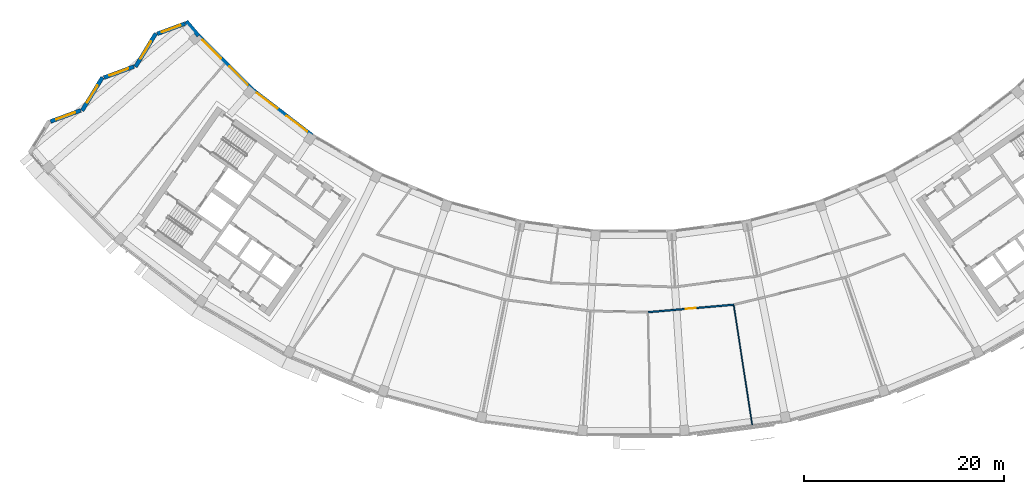
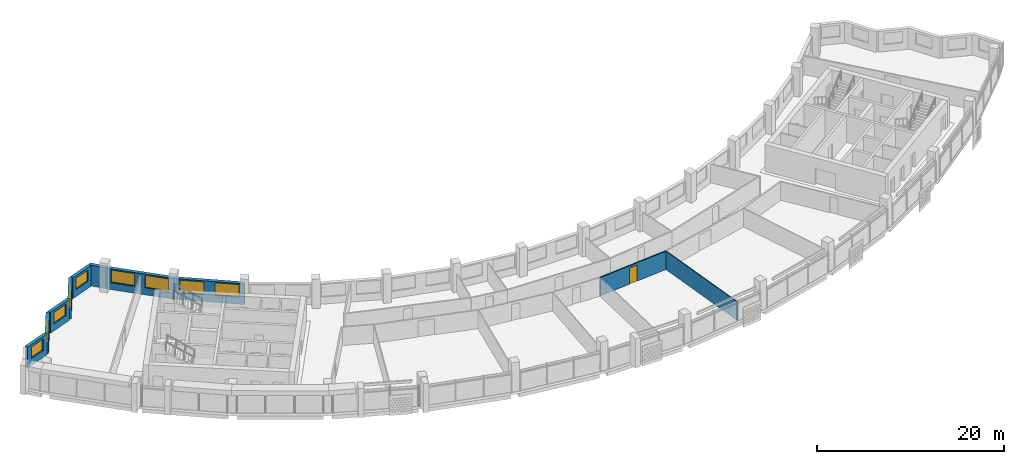
# One storey, part 5 of 28: 10 walls, 9 windows, 1 door, 10 openings.
"""IFC4 building model written with IfcOpenShell, lengths in metres."""

from ifc_helpers import new_model, si_unit, direction, frame, frame_2d, origin, place, context, subcontext, project, spatial, rectangle, extrude, material, layer, layer_set, type_object, element, fill, save


model = new_model("IFC4")

# Units and contexts
model_context = context("Model", 3, precision=1e-05, world=origin(), true_north=direction((0.0, 1.0)))
body_context = subcontext(model_context, "Body", "Model", "MODEL_VIEW")
ifc_project = project(units=[si_unit("LENGTHUNIT", "METRE"), si_unit("AREAUNIT", "SQUARE_METRE"), si_unit("VOLUMEUNIT", "CUBIC_METRE"), si_unit("PLANEANGLEUNIT", "RADIAN"), si_unit("MASSUNIT", "GRAM", prefix="KILO")], contexts=[model_context])

# Site, building, storey
site_placement = place(None, origin())
site = spatial("IfcSite", under=ifc_project, at=site_placement, CompositionType="ELEMENT")
building_placement = place(site_placement, origin())
building = spatial("IfcBuilding", under=site, at=building_placement, Name="Qamariyya Broadcast Tower", CompositionType="ELEMENT")
storey_placement = place(building_placement, frame((0.0, 0.0, 277.10009765625)))
storey = spatial("IfcBuildingStorey", under=building, at=storey_placement, Name="L67", CompositionType="ELEMENT", Elevation=277.10009765625)

# Wall, opening, door
ifc_material_1 = material(Name="Gypsum board partition")
ifc_layer_1 = layer(ifc_material_1, 0.14990234375)
ifc_layer_set_1 = layer_set([ifc_layer_1], Name="Corridor partition 150 EI 60")
wall_type_1 = type_object("IfcWallType", Name="Corridor partition 150 EI 60", PredefinedType="PARTITIONING", material=ifc_layer_set_1)
wall_1_placement = place(storey_placement, frame((10.011474609375, -65.033935546875, 0.0), z_axis=(0.0, 0.0, 1.0), x_axis=(-0.996193717496, -0.087166950281, 0.0)))
wall_1 = element("IfcWall", 1, at=wall_1_placement, inside=storey, type_object=wall_type_1, Name="Partition L67-016", PredefinedType="PARTITIONING", context=body_context, shape_type="SweptSolid", body=[
    extrude(rectangle(XDim=8.60693359375, YDim=0.14990234375, at=frame_2d((4.303466796875, 0.0))), origin(), (0.0, 0.0, 1.0), 2.39990234375),
])
opening_1_placement = place(wall_1_placement, frame((3.803466796875, 0.0, 0.0)))
opening_1 = element("IfcOpeningElement", 2, at=opening_1_placement, cuts=wall_1, Name="Opening L67-D05", PredefinedType="OPENING", context=body_context, shape_type="SweptSolid", body=[
    extrude(rectangle(XDim=1.0, YDim=2.10009765625, at=frame_2d((0.5, 1.050048828125))), frame((0.0, 0.0849609375, 0.0), z_axis=(0.0, -1.0, 0.0), x_axis=(1.0, 0.0, 0.0)), (0.0, 0.0, 1.0), 0.169921875),
])
ifc_material_2 = material(Name="Timber fire door leaf", Category="wood")
door_type = type_object("IfcDoorType", Name="Fire door 1000 x 2100 FD60", OperationType="NOTDEFINED", PredefinedType="DOOR", material=ifc_material_2)
door_placement = place(opening_1_placement, origin())
door = element("IfcDoor", 3, at=door_placement, inside=storey, type_object=door_type, Name="Door L67-D05", OperationType="SINGLE_SWING_RIGHT", OverallHeight=2.10009765625, OverallWidth=1.0, PredefinedType="DOOR", context=body_context, shape_type="SweptSolid", body=[
    extrude(rectangle(XDim=1.0, YDim=2.10009765625, at=frame_2d((0.5, 1.050048828125))), frame((0.0, 0.02490234375, 0.0), z_axis=(0.0, -1.0, 0.0), x_axis=(1.0, 0.0, 0.0)), (0.0, 0.0, 1.0), 0.050048828125),
])
fill(opening_1, door)

# Wall
ifc_layer_2 = layer(ifc_material_1, 0.10009765625)
ifc_layer_set_2 = layer_set([ifc_layer_2], Name="Partition 100")
wall_type_2 = type_object("IfcWallType", Name="Partition 100", PredefinedType="PARTITIONING", material=ifc_layer_set_2)
wall_2_placement = place(storey_placement, frame((11.867919921875, -77.0927734375, 0.0), z_axis=(0.0, 0.0, 1.0), x_axis=(-0.152152499911, 0.988357028999, 0.0)))
element("IfcWall", 4, at=wall_2_placement, inside=storey, type_object=wall_type_2, Name="Partition L67-022", PredefinedType="PARTITIONING", context=body_context, shape_type="SweptSolid", body=[
    extrude(rectangle(XDim=12.125732421875, YDim=0.10009765625, at=frame_2d((6.06298828125, 0.0))), origin(), (0.0, 0.0, 1.0), 2.39990234375),
])

# Wall, opening, window
ifc_material_3 = material(Name="Terracotta", Category="masonry")
ifc_layer_3 = layer(ifc_material_3, 0.39990234375)
ifc_layer_set_3 = layer_set([ifc_layer_3], Name="Terracotta clad wall 400")
wall_type_3 = type_object("IfcWallType", Name="Terracotta clad wall 400", PredefinedType="SOLIDWALL", material=ifc_layer_set_3)
wall_3_placement = place(storey_placement, frame((-44.83447265625, -36.9287109375, 0.0), z_axis=(0.0, 0.0, 1.0), x_axis=(-0.938597805506, -0.345013274381, 0.0)))
wall_3 = element("IfcWall", 5, at=wall_3_placement, inside=storey, type_object=wall_type_3, Name="e-wl-L67-capW0", PredefinedType="SOLIDWALL", context=body_context, shape_type="SweptSolid", body=[
    extrude(rectangle(XDim=2.959228515625, YDim=0.39990234375, at=frame_2d((1.4794921875, 0.0))), origin(), (0.0, 0.0, 1.0), 2.699951171875),
])
opening_2_placement = place(wall_3_placement, frame((0.479736328125, 0.0, 0.89990234375)))
opening_2 = element("IfcOpeningElement", 6, at=opening_2_placement, cuts=wall_3, Name="Opening W4", PredefinedType="OPENING", context=body_context, shape_type="SweptSolid", body=[
    extrude(rectangle(XDim=2.0, YDim=1.5, at=frame_2d((1.0, 0.75))), frame((0.0, 0.2099609375, 0.0), z_axis=(0.0, -1.0, 0.0), x_axis=(1.0, 0.0, 0.0)), (0.0, 0.0, 1.0), 0.419921875),
])
ifc_material_4 = material(Name="Clear low-e double glazed unit in aluminium frame", Category="aluminium")
window_type_1 = type_object("IfcWindowType", Name="Horn bay window 2000 x 1500", PartitioningType="SINGLE_PANEL", PredefinedType="WINDOW", material=ifc_material_4)
window_1_placement = place(opening_2_placement, origin())
window_1 = element("IfcWindow", 7, at=window_1_placement, inside=storey, type_object=window_type_1, Name="e-w-L67-capW0", OverallHeight=1.5, OverallWidth=2.0, PartitioningType="SINGLE_PANEL", PredefinedType="WINDOW", context=body_context, shape_type="SweptSolid", body=[
    extrude(rectangle(XDim=2.0, YDim=1.5, at=frame_2d((1.0, 0.75))), frame((0.0, 0.030029296875, 0.0), z_axis=(0.0, -1.0, 0.0), x_axis=(1.0, 0.0, 0.0)), (0.0, 0.0, 1.0), 0.06005859375),
])
fill(opening_2, window_1)

wall_4_placement = place(storey_placement, frame((-47.755126953125, -37.919677734375, 0.0), z_axis=(0.0, 0.0, 1.0), x_axis=(-0.522007545748, -0.852940866756, 0.0)))
wall_4 = element("IfcWall", 8, at=wall_4_placement, inside=storey, type_object=wall_type_3, Name="e-wl-L67-capW1", PredefinedType="SOLIDWALL", context=body_context, shape_type="SweptSolid", body=[
    extrude(rectangle(XDim=3.91357421875, YDim=0.39990234375, at=frame_2d((1.956787109375, 0.0))), origin(), (0.0, 0.0, 1.0), 2.699951171875),
])
opening_3_placement = place(wall_4_placement, frame((0.95703125, 0.0, 0.89990234375)))
opening_3 = element("IfcOpeningElement", 9, at=opening_3_placement, cuts=wall_4, Name="Opening W4", PredefinedType="OPENING", context=body_context, shape_type="SweptSolid", body=[
    extrude(rectangle(XDim=2.0, YDim=1.5, at=frame_2d((1.0, 0.75))), frame((0.0, 0.2099609375, 0.0), z_axis=(0.0, -1.0, 0.0), x_axis=(1.0, 0.0, 0.0)), (0.0, 0.0, 1.0), 0.419921875),
])
window_2_placement = place(opening_3_placement, origin())
window_2 = element("IfcWindow", 10, at=window_2_placement, inside=storey, type_object=window_type_1, Name="e-w-L67-capW1", OverallHeight=1.5, OverallWidth=2.0, PartitioningType="SINGLE_PANEL", PredefinedType="WINDOW", context=body_context, shape_type="SweptSolid", body=[
    extrude(rectangle(XDim=2.0, YDim=1.5, at=frame_2d((1.0, 0.75))), frame((0.0, 0.030029296875, 0.0), z_axis=(0.0, -1.0, 0.0), x_axis=(1.0, 0.0, 0.0)), (0.0, 0.0, 1.0), 0.06005859375),
])
fill(opening_3, window_2)

wall_5_placement = place(storey_placement, frame((-49.94091796875, -41.227783203125, 0.0), z_axis=(0.0, 0.0, 1.0), x_axis=(-0.938570920434, -0.345086405578, 0.0)))
wall_5 = element("IfcWall", 11, at=wall_5_placement, inside=storey, type_object=wall_type_3, Name="e-wl-L67-capW2", PredefinedType="SOLIDWALL", context=body_context, shape_type="SweptSolid", body=[
    extrude(rectangle(XDim=3.19921875, YDim=0.39990234375, at=frame_2d((1.599609375, 0.0))), origin(), (0.0, 0.0, 1.0), 2.699951171875),
])
opening_4_placement = place(wall_5_placement, frame((0.599609375, 0.0, 0.89990234375)))
opening_4 = element("IfcOpeningElement", 12, at=opening_4_placement, cuts=wall_5, Name="Opening W4", PredefinedType="OPENING", context=body_context, shape_type="SweptSolid", body=[
    extrude(rectangle(XDim=2.0, YDim=1.5, at=frame_2d((1.0, 0.75))), frame((0.0, 0.2099609375, 0.0), z_axis=(0.0, -1.0, 0.0), x_axis=(1.0, 0.0, 0.0)), (0.0, 0.0, 1.0), 0.419921875),
])
window_3_placement = place(opening_4_placement, origin())
window_3 = element("IfcWindow", 13, at=window_3_placement, inside=storey, type_object=window_type_1, Name="e-w-L67-capW2", OverallHeight=1.5, OverallWidth=2.0, PartitioningType="SINGLE_PANEL", PredefinedType="WINDOW", context=body_context, shape_type="SweptSolid", body=[
    extrude(rectangle(XDim=2.0, YDim=1.5, at=frame_2d((1.0, 0.75))), frame((0.0, 0.030029296875, 0.0), z_axis=(0.0, -1.0, 0.0), x_axis=(1.0, 0.0, 0.0)), (0.0, 0.0, 1.0), 0.06005859375),
])
fill(opening_4, window_3)

wall_6_placement = place(storey_placement, frame((-53.08642578125, -42.301513671875, 0.0), z_axis=(0.0, 0.0, 1.0), x_axis=(-0.521881527916, -0.853017978017, 0.0)))
wall_6 = element("IfcWall", 14, at=wall_6_placement, inside=storey, type_object=wall_type_3, Name="e-wl-L67-capW3", PredefinedType="SOLIDWALL", context=body_context, shape_type="SweptSolid", body=[
    extrude(rectangle(XDim=3.912841796875, YDim=0.39990234375, at=frame_2d((1.95654296875, 0.0))), origin(), (0.0, 0.0, 1.0), 2.699951171875),
])
opening_5_placement = place(wall_6_placement, frame((0.956298828125, 0.0, 0.89990234375)))
opening_5 = element("IfcOpeningElement", 15, at=opening_5_placement, cuts=wall_6, Name="Opening W4", PredefinedType="OPENING", context=body_context, shape_type="SweptSolid", body=[
    extrude(rectangle(XDim=2.0, YDim=1.5, at=frame_2d((1.0, 0.75))), frame((0.0, 0.2099609375, 0.0), z_axis=(0.0, -1.0, 0.0), x_axis=(1.0, 0.0, 0.0)), (0.0, 0.0, 1.0), 0.419921875),
])
window_4_placement = place(opening_5_placement, origin())
window_4 = element("IfcWindow", 16, at=window_4_placement, inside=storey, type_object=window_type_1, Name="e-w-L67-capW3", OverallHeight=1.5, OverallWidth=2.0, PartitioningType="SINGLE_PANEL", PredefinedType="WINDOW", context=body_context, shape_type="SweptSolid", body=[
    extrude(rectangle(XDim=2.0, YDim=1.5, at=frame_2d((1.0, 0.75))), frame((0.0, 0.030029296875, 0.0), z_axis=(0.0, -1.0, 0.0), x_axis=(1.0, 0.0, 0.0)), (0.0, 0.0, 1.0), 0.06005859375),
])
fill(opening_5, window_4)

wall_7_placement = place(storey_placement, frame((-55.271484375, -45.609130859375, 0.0), z_axis=(0.0, 0.0, 1.0), x_axis=(-0.938539664468, -0.345171404118, 0.0)))
wall_7 = element("IfcWall", 17, at=wall_7_placement, inside=storey, type_object=wall_type_3, Name="e-wl-L67-capW4", PredefinedType="SOLIDWALL", context=body_context, shape_type="SweptSolid", body=[
    extrude(rectangle(XDim=3.199951171875, YDim=0.39990234375, at=frame_2d((1.60009765625, 0.0))), origin(), (0.0, 0.0, 1.0), 2.699951171875),
])
opening_6_placement = place(wall_7_placement, frame((0.60009765625, 0.0, 0.89990234375)))
opening_6 = element("IfcOpeningElement", 18, at=opening_6_placement, cuts=wall_7, Name="Opening W4", PredefinedType="OPENING", context=body_context, shape_type="SweptSolid", body=[
    extrude(rectangle(XDim=2.0, YDim=1.5, at=frame_2d((1.0, 0.75))), frame((0.0, 0.2099609375, 0.0), z_axis=(0.0, -1.0, 0.0), x_axis=(1.0, 0.0, 0.0)), (0.0, 0.0, 1.0), 0.419921875),
])
window_5_placement = place(opening_6_placement, origin())
window_5 = element("IfcWindow", 19, at=window_5_placement, inside=storey, type_object=window_type_1, Name="e-w-L67-capW4", OverallHeight=1.5, OverallWidth=2.0, PartitioningType="SINGLE_PANEL", PredefinedType="WINDOW", context=body_context, shape_type="SweptSolid", body=[
    extrude(rectangle(XDim=2.0, YDim=1.5, at=frame_2d((1.0, 0.75))), frame((0.0, 0.030029296875, 0.0), z_axis=(0.0, -1.0, 0.0), x_axis=(1.0, 0.0, 0.0)), (0.0, 0.0, 1.0), 0.06005859375),
])
fill(opening_6, window_5)

# Wall
wall_8_placement = place(storey_placement, frame((-43.48095703125, -38.158447265625, 0.0), z_axis=(0.0, 0.0, 1.0), x_axis=(-0.647229421732, 0.762295268019, 0.0)))
element("IfcWall", 20, at=wall_8_placement, inside=storey, type_object=wall_type_3, Name="e-wl-L67-in00", PredefinedType="SOLIDWALL", context=body_context, shape_type="SweptSolid", body=[
    extrude(rectangle(XDim=1.91162109375, YDim=0.39990234375, at=frame_2d((0.955810546875, 0.0))), origin(), (0.0, 0.0, 1.0), 2.699951171875),
])

# Wall, openings, windows
wall_9_placement = place(storey_placement, frame((-38.17919921875, -43.45849609375, 0.0), z_axis=(0.0, 0.0, 1.0), x_axis=(-0.707106781187, 0.707106781187, 0.0)))
wall_9 = element("IfcWall", 21, at=wall_9_placement, inside=storey, type_object=wall_type_3, Name="e-wl-L67-in10", PredefinedType="SOLIDWALL", context=body_context, shape_type="SweptSolid", body=[
    extrude(rectangle(XDim=7.48046875, YDim=0.39990234375, at=frame_2d((3.740234375, 0.0))), origin(), (0.0, 0.0, 1.0), 2.699951171875),
])
opening_7_placement = place(wall_9_placement, frame((4.318115234375, 0.0, 0.89990234375)))
opening_7 = element("IfcOpeningElement", 22, at=opening_7_placement, cuts=wall_9, Name="Opening W1", PredefinedType="OPENING", context=body_context, shape_type="SweptSolid", body=[
    extrude(rectangle(XDim=2.60009765625, YDim=1.64990234375, at=frame_2d((1.300048828125, 0.824951171875))), frame((0.0, 0.2099609375, 0.0), z_axis=(0.0, -1.0, 0.0), x_axis=(1.0, 0.0, 0.0)), (0.0, 0.0, 1.0), 0.419921875),
])
opening_8_placement = place(wall_9_placement, frame((0.547607421875, 0.0, 0.89990234375)))
opening_8 = element("IfcOpeningElement", 23, at=opening_8_placement, cuts=wall_9, Name="Opening W1", PredefinedType="OPENING", context=body_context, shape_type="SweptSolid", body=[
    extrude(rectangle(XDim=2.60009765625, YDim=1.64990234375, at=frame_2d((1.300048828125, 0.824951171875))), frame((0.0, 0.2099609375, 0.0), z_axis=(0.0, -1.0, 0.0), x_axis=(1.0, 0.0, 0.0)), (0.0, 0.0, 1.0), 0.419921875),
])
window_type_2 = type_object("IfcWindowType", Name="Ribbon window 2600 x 1650", PartitioningType="SINGLE_PANEL", PredefinedType="WINDOW", material=ifc_material_4)
window_6_placement = place(opening_7_placement, origin())
window_6 = element("IfcWindow", 24, at=window_6_placement, inside=storey, type_object=window_type_2, Name="e-w-L67-in01-0", OverallHeight=1.64990234375, OverallWidth=2.60009765625, PartitioningType="SINGLE_PANEL", PredefinedType="WINDOW", context=body_context, shape_type="SweptSolid", body=[
    extrude(rectangle(XDim=2.60009765625, YDim=1.64990234375, at=frame_2d((1.300048828125, 0.824951171875))), frame((0.0, 0.030029296875, 0.0), z_axis=(0.0, -1.0, 0.0), x_axis=(1.0, 0.0, 0.0)), (0.0, 0.0, 1.0), 0.06005859375),
])
fill(opening_7, window_6)
window_7_placement = place(opening_8_placement, origin())
window_7 = element("IfcWindow", 25, at=window_7_placement, inside=storey, type_object=window_type_2, Name="e-w-L67-in01-1", OverallHeight=1.64990234375, OverallWidth=2.60009765625, PartitioningType="SINGLE_PANEL", PredefinedType="WINDOW", context=body_context, shape_type="SweptSolid", body=[
    extrude(rectangle(XDim=2.60009765625, YDim=1.64990234375, at=frame_2d((1.300048828125, 0.824951171875))), frame((0.0, 0.030029296875, 0.0), z_axis=(0.0, -1.0, 0.0), x_axis=(1.0, 0.0, 0.0)), (0.0, 0.0, 1.0), 0.06005859375),
])
fill(opening_8, window_7)

wall_10_placement = place(storey_placement, frame((-32.1201171875, -48.1162109375, 0.0), z_axis=(0.0, 0.0, 1.0), x_axis=(-0.793347844099, 0.608768591719, 0.0)))
wall_10 = element("IfcWall", 26, at=wall_10_placement, inside=storey, type_object=wall_type_3, Name="e-wl-L67-in20", PredefinedType="SOLIDWALL", context=body_context, shape_type="SweptSolid", body=[
    extrude(rectangle(XDim=7.617431640625, YDim=0.39990234375, at=frame_2d((3.80859375, 0.0))), origin(), (0.0, 0.0, 1.0), 2.699951171875),
])
opening_9_placement = place(wall_10_placement, frame((4.393798828125, 0.0, 0.89990234375)))
opening_9 = element("IfcOpeningElement", 27, at=opening_9_placement, cuts=wall_10, Name="Opening W1", PredefinedType="OPENING", context=body_context, shape_type="SweptSolid", body=[
    extrude(rectangle(XDim=2.60009765625, YDim=1.64990234375, at=frame_2d((1.300048828125, 0.824951171875))), frame((0.0, 0.2099609375, 0.0), z_axis=(0.0, -1.0, 0.0), x_axis=(1.0, 0.0, 0.0)), (0.0, 0.0, 1.0), 0.419921875),
])
opening_10_placement = place(wall_10_placement, frame((0.623291015625, 0.0, 0.89990234375)))
opening_10 = element("IfcOpeningElement", 28, at=opening_10_placement, cuts=wall_10, Name="Opening W1", PredefinedType="OPENING", context=body_context, shape_type="SweptSolid", body=[
    extrude(rectangle(XDim=2.60009765625, YDim=1.64990234375, at=frame_2d((1.300048828125, 0.824951171875))), frame((0.0, 0.2099609375, 0.0), z_axis=(0.0, -1.0, 0.0), x_axis=(1.0, 0.0, 0.0)), (0.0, 0.0, 1.0), 0.419921875),
])
window_8_placement = place(opening_9_placement, origin())
window_8 = element("IfcWindow", 29, at=window_8_placement, inside=storey, type_object=window_type_2, Name="e-w-L67-in02-0", OverallHeight=1.64990234375, OverallWidth=2.60009765625, PartitioningType="SINGLE_PANEL", PredefinedType="WINDOW", context=body_context, shape_type="SweptSolid", body=[
    extrude(rectangle(XDim=2.60009765625, YDim=1.64990234375, at=frame_2d((1.300048828125, 0.824951171875))), frame((0.0, 0.030029296875, 0.0), z_axis=(0.0, -1.0, 0.0), x_axis=(1.0, 0.0, 0.0)), (0.0, 0.0, 1.0), 0.06005859375),
])
fill(opening_9, window_8)
window_9_placement = place(opening_10_placement, origin())
window_9 = element("IfcWindow", 30, at=window_9_placement, inside=storey, type_object=window_type_2, Name="e-w-L67-in02-1", OverallHeight=1.64990234375, OverallWidth=2.60009765625, PartitioningType="SINGLE_PANEL", PredefinedType="WINDOW", context=body_context, shape_type="SweptSolid", body=[
    extrude(rectangle(XDim=2.60009765625, YDim=1.64990234375, at=frame_2d((1.300048828125, 0.824951171875))), frame((0.0, 0.030029296875, 0.0), z_axis=(0.0, -1.0, 0.0), x_axis=(1.0, 0.0, 0.0)), (0.0, 0.0, 1.0), 0.06005859375),
])
fill(opening_10, window_9)

save(model, "model.ifc")
